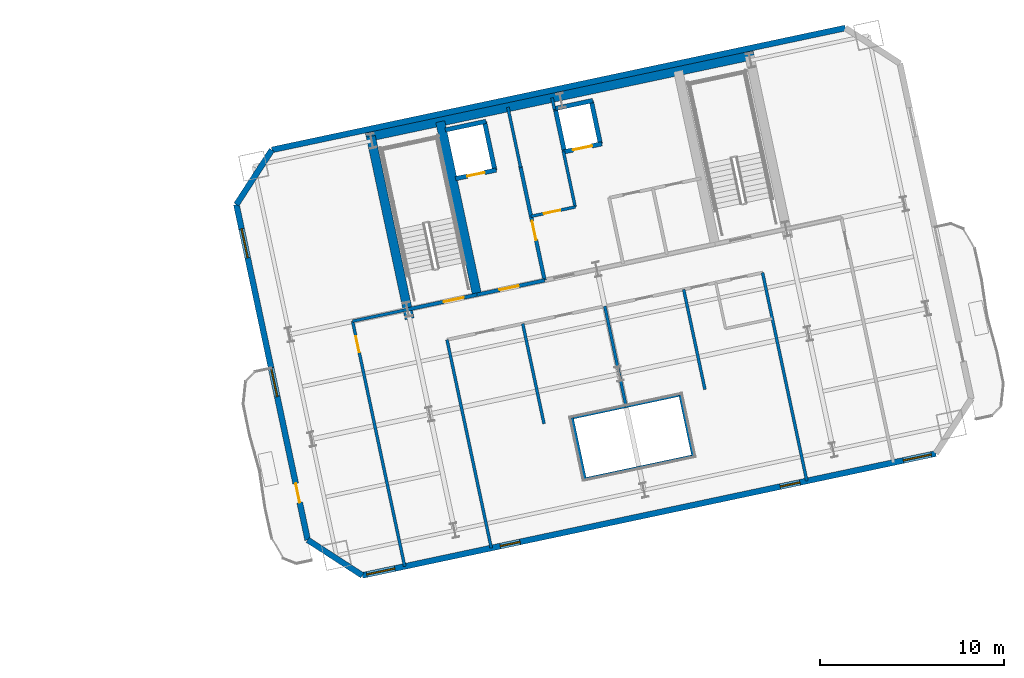
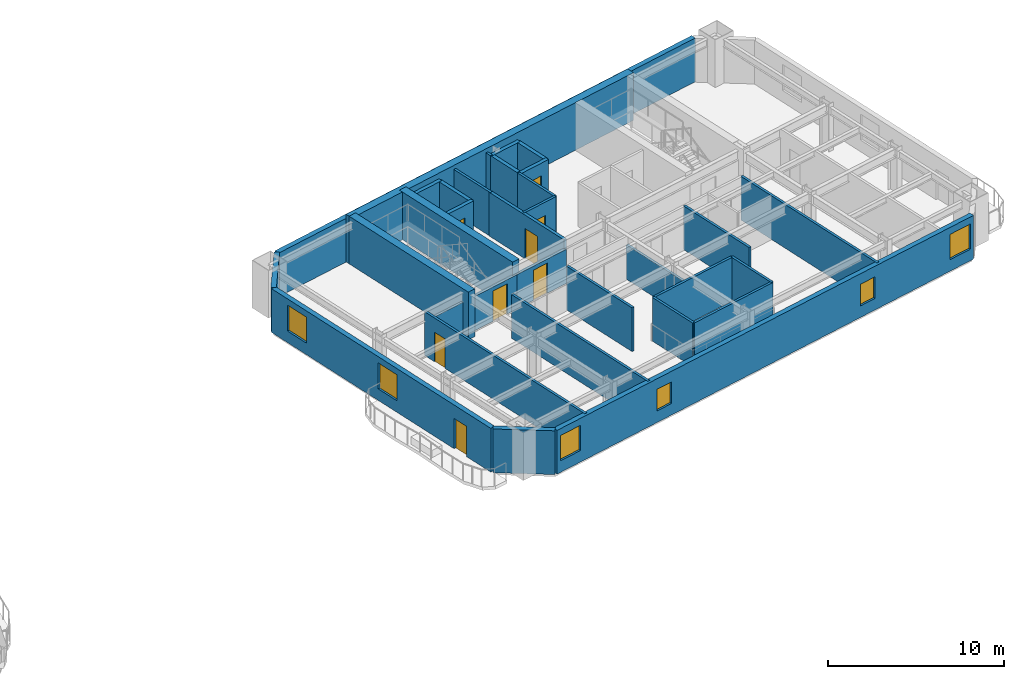
# One storey, part 8 of 14: 33 walls, 8 doors, 6 windows, 14 openings.
"""IFC4 building model written with IfcOpenShell, lengths in metres."""

from ifc_helpers import new_model, si_unit, direction, frame, frame_2d, origin, place, context, subcontext, project, spatial, rectangle, extrude, material, layer, layer_set, type_object, element, fill, save


model = new_model("IFC4")

# Units and contexts
model_context = context("Model", 3, precision=1e-05, world=origin(), true_north=direction((0.0, 1.0)))
body_context = subcontext(model_context, "Body", "Model", "MODEL_VIEW")
ifc_project = project(units=[si_unit("LENGTHUNIT", "METRE"), si_unit("AREAUNIT", "SQUARE_METRE"), si_unit("VOLUMEUNIT", "CUBIC_METRE"), si_unit("PLANEANGLEUNIT", "RADIAN"), si_unit("MASSUNIT", "GRAM", prefix="KILO")], contexts=[model_context])

# Site, building, storey
site_placement = place(None, origin())
site = spatial("IfcSite", under=ifc_project, at=site_placement, CompositionType="ELEMENT")
building_placement = place(site_placement, origin())
building = spatial("IfcBuilding", under=site, at=building_placement, Name="Haevon Station Towers", CompositionType="ELEMENT")
storey_placement = place(building_placement, frame((0.0, 0.0, 119.699951171875)))
storey = spatial("IfcBuildingStorey", under=building, at=storey_placement, Name="L32", CompositionType="ELEMENT", Elevation=119.699951171875)

# Wall, opening, door
ifc_material_1 = material(Name="Gypsum board on steel stud", Category="steel")
ifc_layer_1 = layer(ifc_material_1, 0.199951171875)
ifc_layer_set_1 = layer_set([ifc_layer_1], Name="Gypsum board on steel stud")
wall_type_1 = type_object("IfcWallType", Name="WL-COR200", PredefinedType="PARTITIONING", material=ifc_layer_set_1)
wall_1_placement = place(storey_placement, frame((98.75244140625, 37.4423828125, 0.0), z_axis=(0.0, 0.0, 1.0), x_axis=(0.978143537786, 0.207930804564, 0.0)))
wall_1 = element("IfcWall", 1, at=wall_1_placement, inside=storey, type_object=wall_type_1, Name="WL-ST-ST3-L32", PredefinedType="PARTITIONING", context=body_context, shape_type="SweptSolid", body=[
    extrude(rectangle(XDim=3.85009765625, YDim=0.199951171875, at=frame_2d((1.925048828125, 0.0))), origin(), (0.0, 0.0, 1.0), 2.380126953125),
])
opening_1_placement = place(wall_1_placement, frame((2.0, 0.0, 0.0)))
opening_1 = element("IfcOpeningElement", 2, at=opening_1_placement, cuts=wall_1, Name="Opening DR-ST-ST3-L32", PredefinedType="OPENING", context=body_context, shape_type="SweptSolid", body=[
    extrude(rectangle(XDim=1.1201171875, YDim=2.10009765625, at=frame_2d((0.56005859375, 1.050048828125))), frame((0.0, 0.10986328125, 0.0), z_axis=(0.0, -1.0, 0.0), x_axis=(1.0, 0.0, 0.0)), (0.0, 0.0, 1.0), 0.219970703125),
])
ifc_material_2 = material(Name="Engineered oak timber", Category="wood")
door_type_1 = type_object("IfcDoorType", Name="DR-ST-1120", OperationType="NOTDEFINED", PredefinedType="DOOR", material=ifc_material_2)
door_1_placement = place(opening_1_placement, origin())
door_1 = element("IfcDoor", 3, at=door_1_placement, inside=storey, type_object=door_type_1, Name="L32 Escape Stair ST3 Fire Door", OperationType="SINGLE_SWING_RIGHT", OverallHeight=2.10009765625, OverallWidth=1.1201171875, PredefinedType="DOOR", context=body_context, shape_type="SweptSolid", body=[
    extrude(rectangle(XDim=1.1201171875, YDim=2.10009765625, at=frame_2d((0.56005859375, 1.050048828125))), frame((0.0, 0.02490234375, 0.0), z_axis=(0.0, -1.0, 0.0), x_axis=(1.0, 0.0, 0.0)), (0.0, 0.0, 1.0), 0.050048828125),
])
fill(opening_1, door_1)

wall_2_placement = place(storey_placement, frame((106.186279296875, 39.0224609375, 0.0), z_axis=(0.0, 0.0, 1.0), x_axis=(-0.207916691923, 0.978146537703, 0.0)))
wall_2 = element("IfcWall", 4, at=wall_2_placement, inside=storey, type_object=wall_type_1, Name="WL-T2FFL-L32-E", PredefinedType="PARTITIONING", context=body_context, shape_type="SweptSolid", body=[
    extrude(rectangle(XDim=6.35009765625, YDim=0.199951171875, at=frame_2d((3.175048828125, 0.0))), origin(), (0.0, 0.0, 1.0), 3.030029296875),
])
opening_2_placement = place(wall_2_placement, frame((2.239990234375, 0.0, 0.0)))
opening_2 = element("IfcOpeningElement", 5, at=opening_2_placement, cuts=wall_2, Name="Opening DR-T2FFL-L32-E", PredefinedType="OPENING", context=body_context, shape_type="SweptSolid", body=[
    extrude(rectangle(XDim=1.050048828125, YDim=2.10009765625, at=frame_2d((0.52490234375, 1.050048828125))), frame((0.0, 0.10986328125, 0.0), z_axis=(0.0, -1.0, 0.0), x_axis=(1.0, 0.0, 0.0)), (0.0, 0.0, 1.0), 0.219970703125),
])
door_type_2 = type_object("IfcDoorType", Name="DR-FD60-1050", OperationType="NOTDEFINED", PredefinedType="DOOR", material=ifc_material_2)
door_2_placement = place(opening_2_placement, origin())
door_2 = element("IfcDoor", 6, at=door_2_placement, inside=storey, type_object=door_type_2, Name="L32 Tower 2 Firefighting Lift Lobby Door E", OperationType="SINGLE_SWING_RIGHT", OverallHeight=2.10009765625, OverallWidth=1.050048828125, PredefinedType="DOOR", context=body_context, shape_type="SweptSolid", body=[
    extrude(rectangle(XDim=1.050048828125, YDim=2.10009765625, at=frame_2d((0.52490234375, 1.050048828125))), frame((0.0, 0.02490234375, 0.0), z_axis=(0.0, -1.0, 0.0), x_axis=(1.0, 0.0, 0.0)), (0.0, 0.0, 1.0), 0.050048828125),
])
fill(opening_2, door_2)

wall_3_placement = place(storey_placement, frame((102.518310546875, 38.242919921875, 0.0), z_axis=(0.0, 0.0, 1.0), x_axis=(0.978153555683, 0.20788367301, 0.0)))
wall_3 = element("IfcWall", 7, at=wall_3_placement, inside=storey, type_object=wall_type_1, Name="WL-T2FFL-L32-S", PredefinedType="PARTITIONING", context=body_context, shape_type="SweptSolid", body=[
    extrude(rectangle(XDim=3.75, YDim=0.199951171875, at=frame_2d((1.875, 0.0))), origin(), (0.0, 0.0, 1.0), 2.380126953125),
])
opening_3_placement = place(wall_3_placement, frame((1.25, 0.0, 0.0)))
opening_3 = element("IfcOpeningElement", 8, at=opening_3_placement, cuts=wall_3, Name="Opening DR-T2FFL-L32-S", PredefinedType="OPENING", context=body_context, shape_type="SweptSolid", body=[
    extrude(rectangle(XDim=1.050048828125, YDim=2.10009765625, at=frame_2d((0.52490234375, 1.050048828125))), frame((0.0, 0.10986328125, 0.0), z_axis=(0.0, -1.0, 0.0), x_axis=(1.0, 0.0, 0.0)), (0.0, 0.0, 1.0), 0.219970703125),
])
door_3_placement = place(opening_3_placement, origin())
door_3 = element("IfcDoor", 9, at=door_3_placement, inside=storey, type_object=door_type_2, Name="L32 Tower 2 Firefighting Lift Lobby Door S", OperationType="SINGLE_SWING_LEFT", OverallHeight=2.10009765625, OverallWidth=1.050048828125, PredefinedType="DOOR", context=body_context, shape_type="SweptSolid", body=[
    extrude(rectangle(XDim=1.050048828125, YDim=2.10009765625, at=frame_2d((0.52490234375, 1.050048828125))), frame((0.0, 0.02490234375, 0.0), z_axis=(0.0, -1.0, 0.0), x_axis=(1.0, 0.0, 0.0)), (0.0, 0.0, 1.0), 0.050048828125),
])
fill(opening_3, door_3)

# Walls
ifc_material_3 = material(Name="Concrete C60/75", Category="concrete")
ifc_layer_2 = layer(ifc_material_3, 0.5)
ifc_layer_set_2 = layer_set([ifc_layer_2], Name="Concrete C60/75")
wall_type_2 = type_object("IfcWallType", Name="WL-CR500", PredefinedType="SHEAR", material=ifc_layer_set_2)
wall_4_placement = place(storey_placement, frame((96.511962890625, 46.78076171875, 0.0), z_axis=(0.0, 0.0, 1.0), x_axis=(0.978148546782, 0.207907239961, 0.0)))
element("IfcWall", 10, at=wall_4_placement, inside=storey, type_object=wall_type_2, Name="WL-T2CR-L32-N", PredefinedType="SHEAR", context=body_context, shape_type="SweptSolid", body=[
    extrude(rectangle(XDim=21.499755859375, YDim=0.5, at=frame_2d((10.75, 0.0))), origin(), (0.0, 0.0, 1.0), 3.300048828125),
])
wall_5_placement = place(storey_placement, frame((98.8603515625, 36.933837890625, 0.0), z_axis=(0.0, 0.0, 1.0), x_axis=(-0.20790924889, 0.978148119778, 0.0)))
element("IfcWall", 11, at=wall_5_placement, inside=storey, type_object=wall_type_2, Name="WL-T2CR-L32-W", PredefinedType="SHEAR", context=body_context, shape_type="SweptSolid", body=[
    extrude(rectangle(XDim=10.119873046875, YDim=0.5, at=frame_2d((5.06005859375, 0.0))), origin(), (0.0, 0.0, 1.0), 3.300048828125),
])
wall_6_placement = place(storey_placement, frame((102.518310546875, 38.242919921875, 0.0), z_axis=(0.0, 0.0, 1.0), x_axis=(-0.207927495108, 0.978144241295, 0.0)))
element("IfcWall", 12, at=wall_6_placement, inside=storey, type_object=wall_type_2, Name="WL-T2CR-L32-M1", PredefinedType="SHEAR", context=body_context, shape_type="SweptSolid", body=[
    extrude(rectangle(XDim=9.599853515625, YDim=0.5, at=frame_2d((4.7998046875, 0.0))), origin(), (0.0, 0.0, 1.0), 3.300048828125),
])

# Wall, openings, windows
ifc_material_4 = material(Name="Precast concrete C45/55", Category="concrete")
ifc_layer_3 = layer(ifc_material_4, 0.320068359375)
ifc_layer_set_3 = layer_set([ifc_layer_3], Name="Precast concrete C45/55")
wall_type_3 = type_object("IfcWallType", Name="WL-EXT-PIER320", PredefinedType="SOLIDWALL", material=ifc_layer_set_3)
wall_7_placement = place(storey_placement, frame((127.403076171875, 29.62841796875, 0.0), z_axis=(0.0, 0.0, 1.0), x_axis=(-0.978147903401, -0.207910266877, 0.0)))
wall_7 = element("IfcWall", 13, at=wall_7_placement, inside=storey, type_object=wall_type_3, Name="WL-T2-L32-S", PredefinedType="SOLIDWALL", context=body_context, shape_type="SweptSolid", body=[
    extrude(rectangle(XDim=31.800048828125, YDim=0.320068359375, at=frame_2d((15.89990234375, 0.0))), origin(), (0.0, 0.0, 1.0), 3.030029296875),
])
opening_4_placement = place(wall_7_placement, frame((30.0, 0.0, 0.800048828125)))
opening_4 = element("IfcOpeningElement", 14, at=opening_4_placement, cuts=wall_7, Name="Opening WN-P155", PredefinedType="OPENING", context=body_context, shape_type="SweptSolid", body=[
    extrude(rectangle(XDim=1.550048828125, YDim=1.75, at=frame_2d((0.77490234375, 0.875))), frame((0.0, 0.169921875, 0.0), z_axis=(0.0, -1.0, 0.0), x_axis=(1.0, 0.0, 0.0)), (0.0, 0.0, 1.0), 0.340087890625),
])
opening_5_placement = place(wall_7_placement, frame((0.25, 0.0, 0.800048828125)))
opening_5 = element("IfcOpeningElement", 15, at=opening_5_placement, cuts=wall_7, Name="Opening WN-P155", PredefinedType="OPENING", context=body_context, shape_type="SweptSolid", body=[
    extrude(rectangle(XDim=1.550048828125, YDim=1.75, at=frame_2d((0.77490234375, 0.875))), frame((0.0, 0.169921875, 0.0), z_axis=(0.0, -1.0, 0.0), x_axis=(1.0, 0.0, 0.0)), (0.0, 0.0, 1.0), 0.340087890625),
])
opening_6_placement = place(wall_7_placement, frame((23.052978515625, 0.0, 0.800048828125)))
opening_6 = element("IfcOpeningElement", 16, at=opening_6_placement, cuts=wall_7, Name="Opening WN-COR110", PredefinedType="OPENING", context=body_context, shape_type="SweptSolid", body=[
    extrude(rectangle(XDim=1.10009765625, YDim=1.5, at=frame_2d((0.550048828125, 0.75))), frame((0.0, 0.169921875, 0.0), z_axis=(0.0, -1.0, 0.0), x_axis=(1.0, 0.0, 0.0)), (0.0, 0.0, 1.0), 0.340087890625),
])
opening_7_placement = place(wall_7_placement, frame((7.530029296875, 0.0, 0.800048828125)))
opening_7 = element("IfcOpeningElement", 17, at=opening_7_placement, cuts=wall_7, Name="Opening WN-COR110", PredefinedType="OPENING", context=body_context, shape_type="SweptSolid", body=[
    extrude(rectangle(XDim=1.10009765625, YDim=1.5, at=frame_2d((0.550048828125, 0.75))), frame((0.0, 0.169921875, 0.0), z_axis=(0.0, -1.0, 0.0), x_axis=(1.0, 0.0, 0.0)), (0.0, 0.0, 1.0), 0.340087890625),
])
ifc_material_5 = material(Name="Low-E triple glazing in thermally broken aluminium", Category="aluminium")
window_type_1 = type_object("IfcWindowType", Name="WN-COR110", PartitioningType="SINGLE_PANEL", PredefinedType="WINDOW", material=ifc_material_5)
window_1_placement = place(opening_6_placement, origin())
window_1 = element("IfcWindow", 18, at=window_1_placement, inside=storey, type_object=window_type_1, Name="WN-T2-L32-S03", OverallHeight=1.5, OverallWidth=1.10009765625, PartitioningType="SINGLE_PANEL", PredefinedType="WINDOW", context=body_context, shape_type="SweptSolid", body=[
    extrude(rectangle(XDim=1.10009765625, YDim=1.5, at=frame_2d((0.550048828125, 0.75))), frame((0.0, 0.030029296875, 0.0), z_axis=(0.0, -1.0, 0.0), x_axis=(1.0, 0.0, 0.0)), (0.0, 0.0, 1.0), 0.06005859375),
])
fill(opening_6, window_1)
window_2_placement = place(opening_7_placement, origin())
window_2 = element("IfcWindow", 19, at=window_2_placement, inside=storey, type_object=window_type_1, Name="WN-T2-L32-S04", OverallHeight=1.5, OverallWidth=1.10009765625, PartitioningType="SINGLE_PANEL", PredefinedType="WINDOW", context=body_context, shape_type="SweptSolid", body=[
    extrude(rectangle(XDim=1.10009765625, YDim=1.5, at=frame_2d((0.550048828125, 0.75))), frame((0.0, 0.030029296875, 0.0), z_axis=(0.0, -1.0, 0.0), x_axis=(1.0, 0.0, 0.0)), (0.0, 0.0, 1.0), 0.06005859375),
])
fill(opening_7, window_2)
window_type_2 = type_object("IfcWindowType", Name="WN-P155", PartitioningType="SINGLE_PANEL", PredefinedType="WINDOW", material=ifc_material_5)
window_3_placement = place(opening_4_placement, origin())
window_3 = element("IfcWindow", 20, at=window_3_placement, inside=storey, type_object=window_type_2, Name="WN-T2-L32-S01", OverallHeight=1.75, OverallWidth=1.550048828125, PartitioningType="SINGLE_PANEL", PredefinedType="WINDOW", context=body_context, shape_type="SweptSolid", body=[
    extrude(rectangle(XDim=1.550048828125, YDim=1.75, at=frame_2d((0.77490234375, 0.875))), frame((0.0, 0.030029296875, 0.0), z_axis=(0.0, -1.0, 0.0), x_axis=(1.0, 0.0, 0.0)), (0.0, 0.0, 1.0), 0.06005859375),
])
fill(opening_4, window_3)
window_4_placement = place(opening_5_placement, origin())
window_4 = element("IfcWindow", 21, at=window_4_placement, inside=storey, type_object=window_type_2, Name="WN-T2-L32-S02", OverallHeight=1.75, OverallWidth=1.550048828125, PartitioningType="SINGLE_PANEL", PredefinedType="WINDOW", context=body_context, shape_type="SweptSolid", body=[
    extrude(rectangle(XDim=1.550048828125, YDim=1.75, at=frame_2d((0.77490234375, 0.875))), frame((0.0, 0.030029296875, 0.0), z_axis=(0.0, -1.0, 0.0), x_axis=(1.0, 0.0, 0.0)), (0.0, 0.0, 1.0), 0.06005859375),
])
fill(opening_5, window_4)

# Wall
wall_8_placement = place(storey_placement, frame((96.2978515625, 23.016845703125, 0.0), z_axis=(0.0, 0.0, 1.0), x_axis=(-0.838672309694, 0.544636352948, 0.0)))
element("IfcWall", 22, at=wall_8_placement, inside=storey, type_object=wall_type_3, Name="WL-T2-L32-SWC", PredefinedType="SOLIDWALL", context=body_context, shape_type="SweptSolid", body=[
    extrude(rectangle(XDim=3.535400390625, YDim=0.320068359375, at=frame_2d((1.767578125, 0.0))), origin(), (0.0, 0.0, 1.0), 3.030029296875),
])

# Wall, openings, door, windows
wall_9_placement = place(storey_placement, frame((93.332763671875, 24.9423828125, 0.0), z_axis=(0.0, 0.0, 1.0), x_axis=(-0.207912600897, 0.97814740729, 0.0)))
wall_9 = element("IfcWall", 23, at=wall_9_placement, inside=storey, type_object=wall_type_3, Name="WL-T2-L32-W", PredefinedType="SOLIDWALL", context=body_context, shape_type="SweptSolid", body=[
    extrude(rectangle(XDim=18.60009765625, YDim=0.320068359375, at=frame_2d((9.300048828125, 0.0))), origin(), (0.0, 0.0, 1.0), 3.030029296875),
])
opening_8_placement = place(wall_9_placement, frame((2.074951171875, 0.0, 0.0)))
opening_8 = element("IfcOpeningElement", 24, at=opening_8_placement, cuts=wall_9, Name="Opening DR-T2-SCAL-L32-W", PredefinedType="OPENING", context=body_context, shape_type="SweptSolid", body=[
    extrude(rectangle(XDim=1.050048828125, YDim=2.10009765625, at=frame_2d((0.52490234375, 1.050048828125))), frame((0.0, 0.169921875, 0.0), z_axis=(0.0, -1.0, 0.0), x_axis=(1.0, 0.0, 0.0)), (0.0, 0.0, 1.0), 0.340087890625),
])
opening_9_placement = place(wall_9_placement, frame((7.949951171875, 0.0, 0.800048828125)))
opening_9 = element("IfcOpeningElement", 25, at=opening_9_placement, cuts=wall_9, Name="Opening WN-END160", PredefinedType="OPENING", context=body_context, shape_type="SweptSolid", body=[
    extrude(rectangle(XDim=1.60009765625, YDim=1.800048828125, at=frame_2d((0.800048828125, 0.89990234375))), frame((0.0, 0.169921875, 0.0), z_axis=(0.0, -1.0, 0.0), x_axis=(1.0, 0.0, 0.0)), (0.0, 0.0, 1.0), 0.340087890625),
])
opening_10_placement = place(wall_9_placement, frame((15.64990234375, 0.0, 0.800048828125)))
opening_10 = element("IfcOpeningElement", 26, at=opening_10_placement, cuts=wall_9, Name="Opening WN-END160", PredefinedType="OPENING", context=body_context, shape_type="SweptSolid", body=[
    extrude(rectangle(XDim=1.60009765625, YDim=1.800048828125, at=frame_2d((0.800048828125, 0.89990234375))), frame((0.0, 0.169921875, 0.0), z_axis=(0.0, -1.0, 0.0), x_axis=(1.0, 0.0, 0.0)), (0.0, 0.0, 1.0), 0.340087890625),
])
ifc_material_6 = material(Name="Thermally broken anodised aluminium and laminated safety glass", Category="aluminium")
door_type_3 = type_object("IfcDoorType", Name="DR-BALC-1050", OperationType="NOTDEFINED", PredefinedType="DOOR", material=ifc_material_6)
door_4_placement = place(opening_8_placement, origin())
door_4 = element("IfcDoor", 27, at=door_4_placement, inside=storey, type_object=door_type_3, Name="Tower 2 L32 West Scalloped Balcony Door", OperationType="SINGLE_SWING_RIGHT", OverallHeight=2.10009765625, OverallWidth=1.050048828125, PredefinedType="DOOR", context=body_context, shape_type="SweptSolid", body=[
    extrude(rectangle(XDim=1.050048828125, YDim=2.10009765625, at=frame_2d((0.52490234375, 1.050048828125))), frame((0.0, 0.02490234375, 0.0), z_axis=(0.0, -1.0, 0.0), x_axis=(1.0, 0.0, 0.0)), (0.0, 0.0, 1.0), 0.050048828125),
])
fill(opening_8, door_4)
window_type_3 = type_object("IfcWindowType", Name="WN-END160", PartitioningType="SINGLE_PANEL", PredefinedType="WINDOW", material=ifc_material_5)
window_5_placement = place(opening_9_placement, origin())
window_5 = element("IfcWindow", 28, at=window_5_placement, inside=storey, type_object=window_type_3, Name="WN-T2-L32-W01", OverallHeight=1.800048828125, OverallWidth=1.60009765625, PartitioningType="SINGLE_PANEL", PredefinedType="WINDOW", context=body_context, shape_type="SweptSolid", body=[
    extrude(rectangle(XDim=1.60009765625, YDim=1.800048828125, at=frame_2d((0.800048828125, 0.89990234375))), frame((0.0, 0.030029296875, 0.0), z_axis=(0.0, -1.0, 0.0), x_axis=(1.0, 0.0, 0.0)), (0.0, 0.0, 1.0), 0.06005859375),
])
fill(opening_9, window_5)
window_6_placement = place(opening_10_placement, origin())
window_6 = element("IfcWindow", 29, at=window_6_placement, inside=storey, type_object=window_type_3, Name="WN-T2-L32-W02", OverallHeight=1.800048828125, OverallWidth=1.60009765625, PartitioningType="SINGLE_PANEL", PredefinedType="WINDOW", context=body_context, shape_type="SweptSolid", body=[
    extrude(rectangle(XDim=1.60009765625, YDim=1.800048828125, at=frame_2d((0.800048828125, 0.89990234375))), frame((0.0, 0.030029296875, 0.0), z_axis=(0.0, -1.0, 0.0), x_axis=(1.0, 0.0, 0.0)), (0.0, 0.0, 1.0), 0.06005859375),
])
fill(opening_10, window_6)

# Walls
wall_10_placement = place(storey_placement, frame((89.465576171875, 43.135986328125, 0.0), z_axis=(0.0, 0.0, 1.0), x_axis=(0.544684921471, 0.838640767148, 0.0)))
element("IfcWall", 30, at=wall_10_placement, inside=storey, type_object=wall_type_3, Name="WL-T2-L32-NWC", PredefinedType="SOLIDWALL", context=body_context, shape_type="SweptSolid", body=[
    extrude(rectangle(XDim=3.53564453125, YDim=0.320068359375, at=frame_2d((1.767822265625, 0.0))), origin(), (0.0, 0.0, 1.0), 3.030029296875),
])
wall_11_placement = place(storey_placement, frame((91.391357421875, 46.10107421875, 0.0), z_axis=(0.0, 0.0, 1.0), x_axis=(0.978147571531, 0.207911828208, 0.0)))
element("IfcWall", 31, at=wall_11_placement, inside=storey, type_object=wall_type_3, Name="WL-T2-L32-N", PredefinedType="SOLIDWALL", context=body_context, shape_type="SweptSolid", body=[
    extrude(rectangle(XDim=31.7998046875, YDim=0.320068359375, at=frame_2d((15.89990234375, 0.0))), origin(), (0.0, 0.0, 1.0), 3.030029296875),
])
ifc_layer_4 = layer(ifc_material_1, 0.159912109375)
ifc_layer_set_4 = layer_set([ifc_layer_4], Name="Gypsum board on steel stud")
wall_type_4 = type_object("IfcWallType", Name="WL-PRT160", PredefinedType="PARTITIONING", material=ifc_layer_set_4)
wall_12_placement = place(storey_placement, frame((104.88671875, 45.135986328125, 0.0), z_axis=(0.0, 0.0, 1.0), x_axis=(-0.207846553267, 0.978161443881, 0.0)))
element("IfcWall", 32, at=wall_12_placement, inside=storey, type_object=wall_type_4, Name="WL-T2CW-L32-01", PredefinedType="PARTITIONING", context=body_context, shape_type="SweptSolid", body=[
    extrude(rectangle(XDim=3.35009765625, YDim=0.159912109375, at=frame_2d((1.675048828125, 0.0))), origin(), (0.0, 0.0, 1.0), 3.030029296875),
])

# Wall, opening, door
wall_13_placement = place(storey_placement, frame((105.4482421875, 42.494873046875, 0.0), z_axis=(0.0, 0.0, 1.0), x_axis=(0.978136559131, 0.207963630695, 0.0)))
wall_13 = element("IfcWall", 33, at=wall_13_placement, inside=storey, type_object=wall_type_4, Name="WL-T2CW-L32-02", PredefinedType="PARTITIONING", context=body_context, shape_type="SweptSolid", body=[
    extrude(rectangle(XDim=2.449951171875, YDim=0.159912109375, at=frame_2d((1.22509765625, 0.0))), origin(), (0.0, 0.0, 1.0), 3.030029296875),
])
opening_11_placement = place(wall_13_placement, frame((0.719970703125, 0.0, 0.0)))
opening_11 = element("IfcOpeningElement", 34, at=opening_11_placement, cuts=wall_13, Name="Opening DR-WL-T2CW-L32-02-1", PredefinedType="OPENING", context=body_context, shape_type="SweptSolid", body=[
    extrude(rectangle(XDim=0.89990234375, YDim=2.10009765625, at=frame_2d((0.449951171875, 1.050048828125))), frame((0.0, 0.08984375, 0.0), z_axis=(0.0, -1.0, 0.0), x_axis=(1.0, 0.0, 0.0)), (0.0, 0.0, 1.0), 0.179931640625),
])
door_type_4 = type_object("IfcDoorType", Name="DR-FD60-900", OperationType="NOTDEFINED", PredefinedType="DOOR", material=ifc_material_2)
door_5_placement = place(opening_11_placement, origin())
door_5 = element("IfcDoor", 35, at=door_5_placement, inside=storey, type_object=door_type_4, Name="L32 Tower 2 Core Room Door 2-1", OperationType="SINGLE_SWING_LEFT", OverallHeight=2.10009765625, OverallWidth=0.89990234375, PredefinedType="DOOR", context=body_context, shape_type="SweptSolid", body=[
    extrude(rectangle(XDim=0.89990234375, YDim=2.10009765625, at=frame_2d((0.449951171875, 1.050048828125))), frame((0.0, 0.02490234375, 0.0), z_axis=(0.0, -1.0, 0.0), x_axis=(1.0, 0.0, 0.0)), (0.0, 0.0, 1.0), 0.050048828125),
])
fill(opening_11, door_5)

# Walls
wall_14_placement = place(storey_placement, frame((107.8447265625, 43.00439453125, 0.0), z_axis=(0.0, 0.0, 1.0), x_axis=(-0.207915270313, 0.978146839882, 0.0)))
element("IfcWall", 36, at=wall_14_placement, inside=storey, type_object=wall_type_4, Name="WL-T2CW-L32-03", PredefinedType="PARTITIONING", context=body_context, shape_type="SweptSolid", body=[
    extrude(rectangle(XDim=3.099853515625, YDim=0.159912109375, at=frame_2d((1.5498046875, 0.0))), origin(), (0.0, 0.0, 1.0), 3.030029296875),
])
wall_15_placement = place(storey_placement, frame((106.721923828125, 48.286376953125, 0.0), z_axis=(0.0, 0.0, 1.0), x_axis=(-0.208092352933, 0.978109182377, 0.0)))
element("IfcWall", 37, at=wall_15_placement, inside=storey, type_object=wall_type_4, Name="WL-T2CW-L32-04", PredefinedType="PARTITIONING", context=body_context, shape_type="SweptSolid", body=[
    extrude(rectangle(XDim=0.64990234375, YDim=0.159912109375, at=frame_2d((0.324951171875, 0.0))), origin(), (0.0, 0.0, 1.0), 3.030029296875),
])
for number, where, z_axis, x_axis, name in (
    (38, (103.291748046875, 24.50341796875, 0.0), (0.0, 0.0, 1.0), (-0.207910580697, 0.978147836697, 0.0), "WL-T2PT-L32-01"),
    (39, (120.4091796875, 28.141845703125, 0.0), (0.0, 0.0, 1.0), (-0.207910580697, 0.978147836697, 0.0), "WL-T2PT-L32-02"),
):
    element("IfcWall", number, at=place(storey_placement, frame(where, z_axis=z_axis, x_axis=x_axis)), inside=storey, type_object=wall_type_4, Name=name, PredefinedType="PARTITIONING", context=body_context, shape_type="SweptSolid", body=[
        extrude(rectangle(XDim=11.550048828125, YDim=0.159912109375, at=frame_2d((5.77490234375, 0.0))), origin(), (0.0, 0.0, 1.0), 3.030029296875),
    ])
wall_16_placement = place(storey_placement, frame((95.76904296875, 36.808349609375, 0.0), z_axis=(0.0, 0.0, 1.0), x_axis=(0.978154782045, 0.207877902534, 0.0)))
element("IfcWall", 40, at=wall_16_placement, inside=storey, type_object=wall_type_4, Name="WL-T2PT-L32-03", PredefinedType="PARTITIONING", context=body_context, shape_type="SweptSolid", body=[
    extrude(rectangle(XDim=3.050048828125, YDim=0.159912109375, at=frame_2d((1.52490234375, 0.0))), origin(), (0.0, 0.0, 1.0), 2.380126953125),
])

# Wall, opening, door
wall_17_placement = place(storey_placement, frame((98.5966796875, 23.50537109375, 0.0), z_axis=(0.0, 0.0, 1.0), x_axis=(-0.207911785474, 0.978147580614, 0.0)))
wall_17 = element("IfcWall", 41, at=wall_17_placement, inside=storey, type_object=wall_type_4, Name="WL-T2PT-L32-05", PredefinedType="PARTITIONING", context=body_context, shape_type="SweptSolid", body=[
    extrude(rectangle(XDim=13.60009765625, YDim=0.159912109375, at=frame_2d((6.800048828125, 0.0))), origin(), (0.0, 0.0, 1.0), 3.030029296875),
])
opening_12_placement = place(wall_17_placement, frame((11.8701171875, 0.0, 0.0)))
opening_12 = element("IfcOpeningElement", 42, at=opening_12_placement, cuts=wall_17, Name="Opening DR-WL-T2PT-L32-05-01", PredefinedType="OPENING", context=body_context, shape_type="SweptSolid", body=[
    extrude(rectangle(XDim=0.89990234375, YDim=2.050048828125, at=frame_2d((0.449951171875, 1.02490234375))), frame((0.0, 0.08984375, 0.0), z_axis=(0.0, -1.0, 0.0), x_axis=(1.0, 0.0, 0.0)), (0.0, 0.0, 1.0), 0.179931640625),
])
door_type_5 = type_object("IfcDoorType", Name="DR-INT-900", OperationType="NOTDEFINED", PredefinedType="DOOR", material=ifc_material_2)
door_6_placement = place(opening_12_placement, origin())
door_6 = element("IfcDoor", 43, at=door_6_placement, inside=storey, type_object=door_type_5, Name="L32 Tower 2 Room Door 5-1", OperationType="SINGLE_SWING_RIGHT", OverallHeight=2.050048828125, OverallWidth=0.89990234375, PredefinedType="DOOR", context=body_context, shape_type="SweptSolid", body=[
    extrude(rectangle(XDim=0.89990234375, YDim=2.050048828125, at=frame_2d((0.449951171875, 1.02490234375))), frame((0.0, 0.02490234375, 0.0), z_axis=(0.0, -1.0, 0.0), x_axis=(1.0, 0.0, 0.0)), (0.0, 0.0, 1.0), 0.050048828125),
])
fill(opening_12, door_6)

# Walls
wall_18_placement = place(storey_placement, frame((108.37548828125, 28.2421875, 0.0), z_axis=(0.0, 0.0, 1.0), x_axis=(0.978152955943, 0.207886494942, 0.0)))
element("IfcWall", 44, at=wall_18_placement, inside=storey, type_object=wall_type_4, Name="WL-T2PT-L32-07", PredefinedType="PARTITIONING", context=body_context, shape_type="SweptSolid", body=[
    extrude(rectangle(XDim=6.0, YDim=0.159912109375, at=frame_2d((3.0, 0.0))), origin(), (0.0, 0.0, 1.0), 3.030029296875),
])
wall_19_placement = place(storey_placement, frame((107.668701171875, 31.56787109375, 0.0), z_axis=(0.0, 0.0, 1.0), x_axis=(0.978151197336, 0.207894769415, 0.0)))
element("IfcWall", 45, at=wall_19_placement, inside=storey, type_object=wall_type_4, Name="WL-T2PT-L32-08", PredefinedType="PARTITIONING", context=body_context, shape_type="SweptSolid", body=[
    extrude(rectangle(XDim=5.999755859375, YDim=0.159912109375, at=frame_2d((3.0, 0.0))), origin(), (0.0, 0.0, 1.0), 3.030029296875),
])
for number, where, z_axis, x_axis, name in (
    (46, (108.37548828125, 28.2421875, 0.0), (0.0, 0.0, 1.0), (-0.207881084728, 0.978154105758, 0.0), "WL-T2PT-L32-09"),
    (47, (114.244384765625, 29.489501953125, 0.0), (0.0, 0.0, 1.0), (-0.207949787024, 0.97813950236, 0.0), "WL-T2PT-L32-10"),
):
    element("IfcWall", number, at=place(storey_placement, frame(where, z_axis=z_axis, x_axis=x_axis)), inside=storey, type_object=wall_type_4, Name=name, PredefinedType="PARTITIONING", context=body_context, shape_type="SweptSolid", body=[
        extrude(rectangle(XDim=3.39990234375, YDim=0.159912109375, at=frame_2d((1.699951171875, 0.0))), origin(), (0.0, 0.0, 1.0), 3.030029296875),
    ])
wall_20_placement = place(storey_placement, frame((106.15234375, 31.24560546875, 0.0), z_axis=(0.0, 0.0, 1.0), x_axis=(-0.207894531291, 0.978151247946, 0.0)))
element("IfcWall", 48, at=wall_20_placement, inside=storey, type_object=wall_type_4, Name="WL-T2PT-L32-11", PredefinedType="PARTITIONING", context=body_context, shape_type="SweptSolid", body=[
    extrude(rectangle(XDim=5.550048828125, YDim=0.159912109375, at=frame_2d((2.77490234375, 0.0))), origin(), (0.0, 0.0, 1.0), 3.030029296875),
])
wall_21_placement = place(storey_placement, frame((110.60302734375, 32.191650390625, 0.0), z_axis=(0.0, 0.0, 1.0), x_axis=(-0.207894531291, 0.978151247946, 0.0)))
element("IfcWall", 49, at=wall_21_placement, inside=storey, type_object=wall_type_4, Name="WL-T2PT-L32-12", PredefinedType="PARTITIONING", context=body_context, shape_type="SweptSolid", body=[
    extrude(rectangle(XDim=5.550048828125, YDim=0.159912109375, at=frame_2d((2.77490234375, 0.0))), origin(), (0.0, 0.0, 1.0), 2.380126953125),
])
wall_22_placement = place(storey_placement, frame((114.88232421875, 33.10107421875, 0.0), z_axis=(0.0, 0.0, 1.0), x_axis=(-0.207894531291, 0.978151247946, 0.0)))
element("IfcWall", 50, at=wall_22_placement, inside=storey, type_object=wall_type_4, Name="WL-T2PT-L32-14", PredefinedType="PARTITIONING", context=body_context, shape_type="SweptSolid", body=[
    extrude(rectangle(XDim=5.550048828125, YDim=0.159912109375, at=frame_2d((2.77490234375, 0.0))), origin(), (0.0, 0.0, 1.0), 3.030029296875),
])

# Wall, opening, door
ifc_material_7 = material(Name="Concrete C40/50", Category="concrete")
ifc_layer_5 = layer(ifc_material_7, 0.239990234375)
ifc_layer_set_5 = layer_set([ifc_layer_5], Name="Concrete C40/50")
wall_type_5 = type_object("IfcWallType", Name="WL-SHF240", PredefinedType="PARTITIONING", material=ifc_layer_set_5)
wall_23_placement = place(storey_placement, frame((101.353759765625, 44.538330078125, 0.0), z_axis=(0.0, 0.0, 1.0), x_axis=(0.978141002414, 0.207942731049, 0.0)))
wall_23 = element("IfcWall", 51, at=wall_23_placement, inside=storey, type_object=wall_type_5, Name="WL-SHF-FL2-L32", PredefinedType="PARTITIONING", context=body_context, shape_type="SweptSolid", body=[
    extrude(rectangle(XDim=2.260009765625, YDim=0.239990234375, at=frame_2d((1.1298828125, 0.0))), origin(), (0.0, 0.0, 1.0), 3.030029296875),
])
opening_13_placement = place(wall_23_placement, frame((0.655029296875, 0.0, 0.0)))
opening_13 = element("IfcOpeningElement", 52, at=opening_13_placement, cuts=wall_23, Name="Opening LD-FL2-L32", PredefinedType="OPENING", context=body_context, shape_type="SweptSolid", body=[
    extrude(rectangle(XDim=0.949951171875, YDim=2.14990234375, at=frame_2d((0.47509765625, 1.074951171875))), frame((0.0, 0.1298828125, 0.0), z_axis=(0.0, -1.0, 0.0), x_axis=(1.0, 0.0, 0.0)), (0.0, 0.0, 1.0), 0.260009765625),
])
ifc_material_8 = material(Name="Stainless steel and rated core", Category="steel")
door_type_6 = type_object("IfcDoorType", Name="LD-FL950", OperationType="SLIDING_TO_LEFT", PredefinedType="DOOR", material=ifc_material_8)
door_7_placement = place(opening_13_placement, origin())
door_7 = element("IfcDoor", 53, at=door_7_placement, inside=storey, type_object=door_type_6, Name="L32 Lift FL2 Sliding Landing Door", OperationType="SLIDING_TO_LEFT", OverallHeight=2.14990234375, OverallWidth=0.949951171875, PredefinedType="DOOR", context=body_context, shape_type="SweptSolid", body=[
    extrude(rectangle(XDim=0.949951171875, YDim=2.14990234375, at=frame_2d((0.47509765625, 1.074951171875))), frame((0.0, 0.02490234375, 0.0), z_axis=(0.0, -1.0, 0.0), x_axis=(1.0, 0.0, 0.0)), (0.0, 0.0, 1.0), 0.050048828125),
])
fill(opening_13, door_7)

# Walls
wall_24_placement = place(storey_placement, frame((100.79248046875, 47.179443359375, 0.0), z_axis=(0.0, 0.0, 1.0), x_axis=(0.978162968872, 0.207839376268, 0.0)))
element("IfcWall", 54, at=wall_24_placement, inside=storey, type_object=wall_type_5, Name="WL-SHF-FL2-L32-N", PredefinedType="PARTITIONING", context=body_context, shape_type="SweptSolid", body=[
    extrude(rectangle(XDim=2.260009765625, YDim=0.239990234375, at=frame_2d((1.1298828125, 0.0))), origin(), (0.0, 0.0, 1.0), 3.030029296875),
])
wall_25_placement = place(storey_placement, frame((103.486328125, 44.99169921875, 0.0), z_axis=(0.0, 0.0, 1.0), x_axis=(-0.207978798957, 0.978133334052, 0.0)))
element("IfcWall", 55, at=wall_25_placement, inside=storey, type_object=wall_type_5, Name="WL-SHF-FL2-L32-E", PredefinedType="PARTITIONING", context=body_context, shape_type="SweptSolid", body=[
    extrude(rectangle(XDim=2.699951171875, YDim=0.239990234375, at=frame_2d((1.35009765625, 0.0))), origin(), (0.0, 0.0, 1.0), 3.030029296875),
])

# Wall, opening, door
wall_26_placement = place(storey_placement, frame((107.18115234375, 45.9814453125, 0.0), z_axis=(0.0, 0.0, 1.0), x_axis=(0.97813528961, 0.207969601673, 0.0)))
wall_26 = element("IfcWall", 56, at=wall_26_placement, inside=storey, type_object=wall_type_5, Name="WL-SHF-PL8-L32", PredefinedType="PARTITIONING", context=body_context, shape_type="SweptSolid", body=[
    extrude(rectangle(XDim=2.159912109375, YDim=0.239990234375, at=frame_2d((1.080078125, 0.0))), origin(), (0.0, 0.0, 1.0), 3.030029296875),
])
opening_14_placement = place(wall_26_placement, frame((0.554931640625, 0.0, 0.0)))
opening_14 = element("IfcOpeningElement", 57, at=opening_14_placement, cuts=wall_26, Name="Opening LD-PL8-L32", PredefinedType="OPENING", context=body_context, shape_type="SweptSolid", body=[
    extrude(rectangle(XDim=1.050048828125, YDim=2.14990234375, at=frame_2d((0.52490234375, 1.074951171875))), frame((0.0, 0.1298828125, 0.0), z_axis=(0.0, -1.0, 0.0), x_axis=(1.0, 0.0, 0.0)), (0.0, 0.0, 1.0), 0.260009765625),
])
door_type_7 = type_object("IfcDoorType", Name="LD-PL1050", OperationType="SLIDING_TO_LEFT", PredefinedType="DOOR", material=ifc_material_8)
door_8_placement = place(opening_14_placement, origin())
door_8 = element("IfcDoor", 58, at=door_8_placement, inside=storey, type_object=door_type_7, Name="L32 Lift PL8 Sliding Landing Door", OperationType="SLIDING_TO_LEFT", OverallHeight=2.14990234375, OverallWidth=1.050048828125, PredefinedType="DOOR", context=body_context, shape_type="SweptSolid", body=[
    extrude(rectangle(XDim=1.050048828125, YDim=2.14990234375, at=frame_2d((0.52490234375, 1.074951171875))), frame((0.0, 0.02490234375, 0.0), z_axis=(0.0, -1.0, 0.0), x_axis=(1.0, 0.0, 0.0)), (0.0, 0.0, 1.0), 0.050048828125),
])
fill(opening_14, door_8)

# Walls
wall_27_placement = place(storey_placement, frame((106.68212890625, 48.3291015625, 0.0), z_axis=(0.0, 0.0, 1.0), x_axis=(0.978158276388, 0.207861459473, 0.0)))
element("IfcWall", 59, at=wall_27_placement, inside=storey, type_object=wall_type_5, Name="WL-SHF-PL8-L32-N", PredefinedType="PARTITIONING", context=body_context, shape_type="SweptSolid", body=[
    extrude(rectangle(XDim=2.159912109375, YDim=0.239990234375, at=frame_2d((1.080078125, 0.0))), origin(), (0.0, 0.0, 1.0), 3.030029296875),
])
for number, where, z_axis, x_axis, name in (
    (60, (107.259521484375, 45.998046875, 0.0), (0.0, 0.0, 1.0), (-0.207917150959, 0.978146440129, 0.0), "WL-SHF-PL8-L32-W"),
    (61, (109.2158203125, 46.413818359375, 0.0), (0.0, 0.0, 1.0), (-0.207917150959, 0.978146440129, 0.0), "WL-SHF-PL8-L32-E"),
):
    element("IfcWall", number, at=place(storey_placement, frame(where, z_axis=z_axis, x_axis=x_axis)), inside=storey, type_object=wall_type_5, Name=name, PredefinedType="PARTITIONING", context=body_context, shape_type="SweptSolid", body=[
        extrude(rectangle(XDim=2.400146484375, YDim=0.239990234375, at=frame_2d((1.2001953125, 0.0))), origin(), (0.0, 0.0, 1.0), 3.030029296875),
    ])

save(model, "model.ifc")
